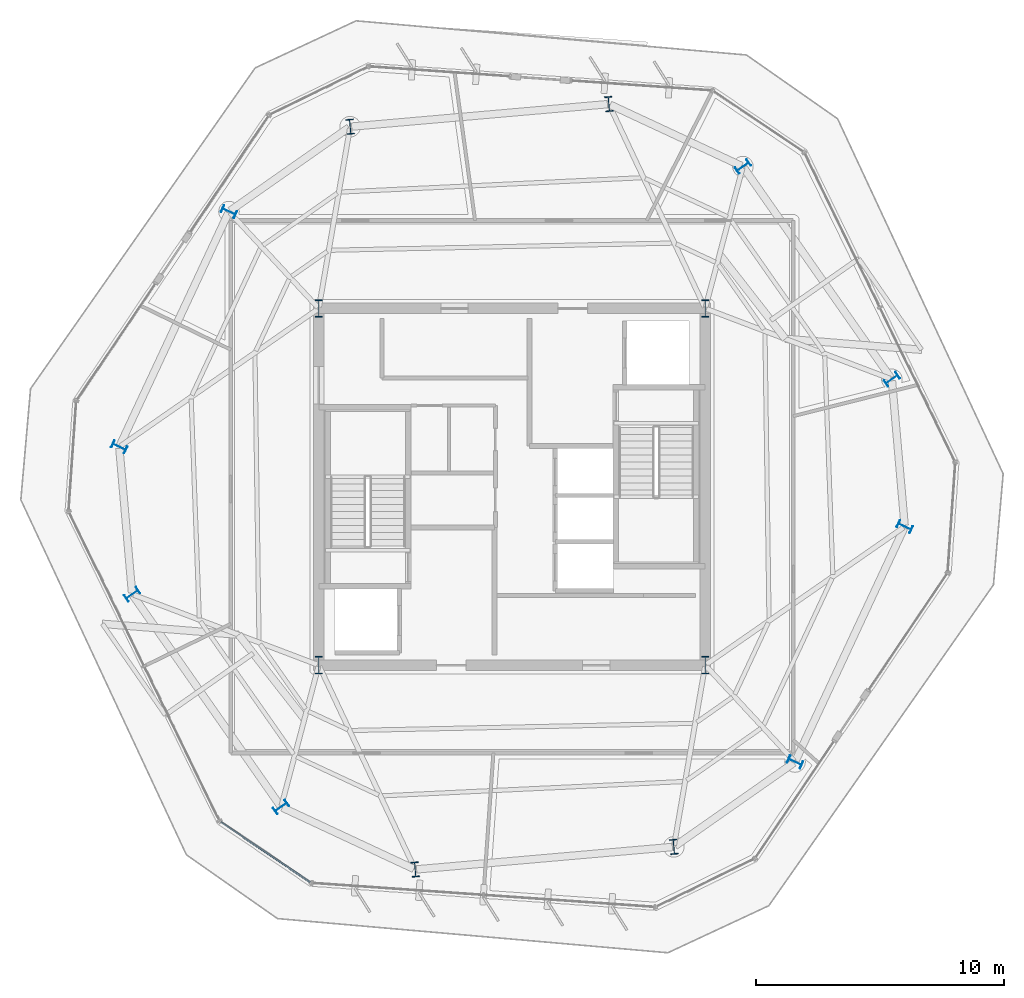
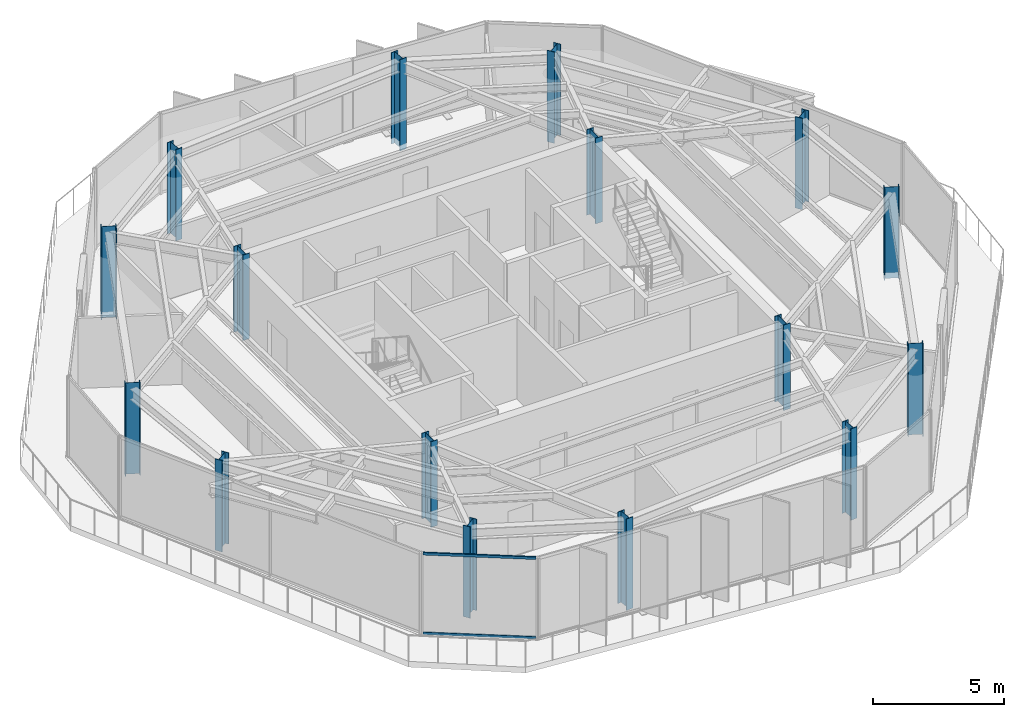
# One storey, part 1 of 12: 16 columns, 2 members, 1 element without a shape of its own.
"""IFC4 building model written with IfcOpenShell, lengths in metres."""

import ifcopenshell
import ifcopenshell.guid

model = None  # the IFC model being written
_history = None  # IfcOwnerHistory: only IFC2X3 demands one
_inside = {}  # id of a spatial element -> (the spatial element, [elements in it])
_under = {}  # id of a project, library or spatial element -> (it, [spatial elements below it])
_declared = {}  # id of a project -> (the project, [libraries it declares])
_typed = {}  # id of a type object -> (the type object, [elements of that type])
_made_of = {}  # id of a material, layer set ... -> (it, [elements and type objects made of it])


def new_model(schema):
    """Start an empty IFC model of exactly this schema.

    Asked for "IFC4X3", IfcOpenShell would pick the latest addendum, in which some entities
    have other attributes; the version numbers below select the first issue.
    IFC2X3 requires an IfcOwnerHistory on every rooted entity: one is made here for all.
    """
    global model, _history
    if schema == "IFC4X3":
        model = ifcopenshell.file(schema_version=(4, 3, 0, 0))
    else:
        model = ifcopenshell.file(schema=schema)
    _inside.clear()
    _under.clear()
    _declared.clear()
    _typed.clear()
    _made_of.clear()
    _history = None
    if model.schema == "IFC2X3":
        org = make("IfcOrganization", Name="unknown")
        user = make(
            "IfcPersonAndOrganization",
            ThePerson=make("IfcPerson", FamilyName="unknown"),
            TheOrganization=org,
        )
        app = make(
            "IfcApplication",
            ApplicationDeveloper=org,
            Version="unknown",
            ApplicationFullName="unknown",
            ApplicationIdentifier="unknown",
        )
        _history = make(
            "IfcOwnerHistory",
            OwningUser=user,
            OwningApplication=app,
            ChangeAction="ADDED",
            CreationDate=0,
        )
    return model


def make(cls, **values):
    """One entity of the class cls with the attributes given. An attribute that is None is left unset."""
    return model.create_entity(
        cls, **{name: value for name, value in values.items() if value is not None}
    )


def rooted(cls, **values):
    """An entity with a GlobalId (a new one), such as an element, a storey or a relation."""
    return make(cls, GlobalId=ifcopenshell.guid.new(), OwnerHistory=_history, **values)


def si_unit(unit_type, name, prefix=None):
    """IfcSIUnit, for example si_unit("LENGTHUNIT", "METRE", prefix="MILLI")."""
    return make("IfcSIUnit", UnitType=unit_type, Prefix=prefix, Name=name)


def assignment(units):
    """IfcUnitAssignment: the units of a project."""
    return None if units is None else make("IfcUnitAssignment", Units=units)


def point(xyz):
    """IfcCartesianPoint."""
    return None if xyz is None else make("IfcCartesianPoint", Coordinates=xyz)


def direction(xyz):
    """IfcDirection."""
    return None if xyz is None else make("IfcDirection", DirectionRatios=xyz)


def frame(location, z_axis=None, x_axis=None):
    """IfcAxis2Placement3D, a coordinate frame: its origin and axes. An axis left out is left unset."""
    return make(
        "IfcAxis2Placement3D",
        Location=point(location),
        Axis=direction(z_axis),
        RefDirection=direction(x_axis),
    )


def frame_2d(location, x_axis=None):
    """IfcAxis2Placement2D, a coordinate frame in the plane: its origin and x axis."""
    return make(
        "IfcAxis2Placement2D", Location=point(location), RefDirection=direction(x_axis)
    )


def origin():
    """The frame at (0, 0, 0) with its axes left unset."""
    return frame((0.0, 0.0, 0.0))


def origin_2d():
    """The frame at (0, 0) in the plane with its x axis left unset."""
    return frame_2d((0.0, 0.0))


def place(relative_to, where):
    """IfcLocalPlacement: puts the frame where relative to a parent placement (None: the world)."""
    return make(
        "IfcLocalPlacement", PlacementRelTo=relative_to, RelativePlacement=where
    )


def context(
    kind, dimensions, precision=None, world=None, true_north=None, identifier=None
):
    """IfcGeometricRepresentationContext, for example the 3D "Model" context."""
    return make(
        "IfcGeometricRepresentationContext",
        ContextIdentifier=identifier,
        ContextType=kind,
        CoordinateSpaceDimension=dimensions,
        Precision=precision,
        WorldCoordinateSystem=world,
        TrueNorth=true_north,
    )


def subcontext(parent, identifier, kind, view, scale=None):
    """IfcGeometricRepresentationSubContext, for example "Body" below "Model"."""
    return make(
        "IfcGeometricRepresentationSubContext",
        ContextIdentifier=identifier,
        ContextType=kind,
        ParentContext=parent,
        TargetScale=scale,
        TargetView=view,
    )


def project(units=None, contexts=None):
    """IfcProject with its units and contexts."""
    return rooted(
        "IfcProject",
        Name="project",
        RepresentationContexts=contexts,
        UnitsInContext=assignment(units),
    )


def spatial(cls, under=None, at=None, **own):
    """A site, building, storey or space (cls), placed at a placement, below another one or the project."""
    s = rooted(cls, ObjectPlacement=at, **own)
    if under is not None:
        _under.setdefault(under.id(), (under, []))[1].append(s)
    return s


def profile(cls, at=None, kind="AREA", **sizes):
    """A parametric profile (cls). Its sizes go by their IFC names, for example OverallWidth=200.0."""
    return make(cls, ProfileType=kind, Position=at, **sizes)


def rectangle(**sizes):
    """IfcRectangleProfileDef."""
    return profile("IfcRectangleProfileDef", **sizes)


def i_section(**sizes):
    """IfcIShapeProfileDef."""
    return profile("IfcIShapeProfileDef", **sizes)


def extrude(swept, where, along, depth):
    """IfcExtrudedAreaSolid: the profile swept, set in the frame where, extruded along a direction by depth."""
    return make(
        "IfcExtrudedAreaSolid",
        SweptArea=swept,
        Position=where,
        ExtrudedDirection=direction(along),
        Depth=depth,
    )


def shape(context_of_items, identifier, shape_type, items):
    """IfcShapeRepresentation: the items that make up one representation, for example the "Body"."""
    return make(
        "IfcShapeRepresentation",
        ContextOfItems=context_of_items,
        RepresentationIdentifier=identifier,
        RepresentationType=shape_type,
        Items=items,
    )


def material(Name=None, Category=None):
    """IfcMaterial."""
    return make("IfcMaterial", Name=Name, Category=Category)


def layer(
    of_material, thickness, ventilated=None, Name=None, Category=None, Priority=None
):
    """IfcMaterialLayer: one layer of a wall or slab, of a material (None: an air gap)."""
    return make(
        "IfcMaterialLayer",
        Material=of_material,
        LayerThickness=thickness,
        IsVentilated=ventilated,
        Name=Name,
        Category=Category,
        Priority=Priority,
    )


def layer_set(layers, Name=None):
    """IfcMaterialLayerSet."""
    return make("IfcMaterialLayerSet", MaterialLayers=layers, LayerSetName=Name)


def material_profile(
    of_material, cross_section, Name=None, Category=None, Priority=None
):
    """IfcMaterialProfile: a cross section and its material."""
    return make(
        "IfcMaterialProfile",
        Name=Name,
        Material=of_material,
        Profile=cross_section,
        Priority=Priority,
        Category=Category,
    )


def profile_set(profiles, Name=None, composite=None):
    """IfcMaterialProfileSet."""
    return make(
        "IfcMaterialProfileSet",
        Name=Name,
        MaterialProfiles=profiles,
        CompositeProfile=composite,
    )


def made_of(thing, what):
    """Note that an element or type object is made of a material, layer set ...; save() writes the relation."""
    if what is not None:
        _made_of.setdefault(what.id(), (what, []))[1].append(thing)
    return thing


def type_object(cls, material=None, **own):
    """A type object (cls), such as IfcWallType, which elements share."""
    return made_of(rooted(cls, **own), material)


def element(
    cls,
    number,
    at=None,
    inside=None,
    cuts=None,
    type_object=None,
    material=None,
    context=None,
    identifier="Body",
    shape_type=None,
    held_by="IfcProductDefinitionShape",
    body=None,
    shapes=None,
    **own,
):
    """One element of the class cls, such as IfcWall. Its Tag is "e" and its number.

    at: its placement. inside: the storey or other place that contains it. cuts: it is an
    opening in that element (IfcRelVoidsElement). A single representation is given by context,
    identifier, shape_type and body (its items); several are given by shapes. held_by: the class
    of the entity that holds the representations. save() writes the other relations.
    """
    e = rooted(cls, Tag="e%d" % number, ObjectPlacement=at, **own)
    if body is not None:
        shapes = [shape(context, identifier, shape_type, body)]
    if shapes is not None:
        e.Representation = make(held_by, Representations=shapes)
    if inside is not None:
        _inside.setdefault(inside.id(), (inside, []))[1].append(e)
    if cuts is not None:
        rooted(
            "IfcRelVoidsElement", RelatingBuildingElement=cuts, RelatedOpeningElement=e
        )
    if type_object is not None:
        _typed.setdefault(type_object.id(), (type_object, []))[1].append(e)
    return made_of(e, material)


def aggregate(whole, parts):
    """IfcRelAggregates: a whole, such as a stair, and the parts it consists of."""
    return rooted("IfcRelAggregates", RelatingObject=whole, RelatedObjects=parts)


def save(model, path):
    """Write the relations noted so far, then the file.

    IfcRelAggregates (storeys below a building ...), IfcRelContainedInSpatialStructure (elements
    in a storey), IfcRelDefinesByType, IfcRelAssociatesMaterial and IfcRelDeclares: one each for
    every whole, place, type object, material and project.
    """
    for whole, parts in _under.values():
        aggregate(whole, parts)
    for where, things in _inside.values():
        rooted(
            "IfcRelContainedInSpatialStructure",
            RelatedElements=things,
            RelatingStructure=where,
        )
    for kind, things in _typed.values():
        rooted("IfcRelDefinesByType", RelatedObjects=things, RelatingType=kind)
    for what, things in _made_of.values():
        rooted("IfcRelAssociatesMaterial", RelatedObjects=things, RelatingMaterial=what)
    for by, libraries in _declared.values():
        rooted("IfcRelDeclares", RelatingContext=by, RelatedDefinitions=libraries)
    model.write(path)


model = new_model("IFC4")

# Units and contexts
model_context = context("Model", 3, precision=1e-05, world=origin(), true_north=direction((0.0, 1.0)))
body_context = subcontext(model_context, "Body", "Model", "MODEL_VIEW")
ifc_project = project(units=[si_unit("LENGTHUNIT", "METRE"), si_unit("AREAUNIT", "SQUARE_METRE"), si_unit("VOLUMEUNIT", "CUBIC_METRE"), si_unit("PLANEANGLEUNIT", "RADIAN"), si_unit("MASSUNIT", "GRAM", prefix="KILO")], contexts=[model_context])

# Site, building, storey
site_placement = place(None, origin())
site = spatial("IfcSite", under=ifc_project, at=site_placement, CompositionType="ELEMENT")
building_placement = place(site_placement, origin())
building = spatial("IfcBuilding", under=site, at=building_placement, Name="Kranzbogen Civic Tower", CompositionType="ELEMENT")
storey_placement = place(building_placement, frame((0.0, 0.0, 250.199951171875)))
storey = spatial("IfcBuildingStorey", under=building, at=storey_placement, Name="L60", CompositionType="ELEMENT", Elevation=250.199951171875)

# Columns
ifc_material_1 = material(Name="Steel S355", Category="steel")
ifc_material_profile_1 = material_profile(ifc_material_1, i_section(OverallWidth=0.300048828125, OverallDepth=0.60009765625, WebThickness=0.015380859375, FlangeThickness=0.030029296875, at=origin_2d()), Name="HEB 600")
ifc_profile_set_1 = profile_set([ifc_material_profile_1], Name="Steel S355")
column_type_1 = type_object("IfcColumnType", Name="Structural Column HEB 600", PredefinedType="COLUMN", material=ifc_profile_set_1)
for number, where, z_axis, x_axis, name in (
    (1, (28.908935546875, 40.449951171875, -0.27001953125), (0.0, 0.0, 1.0), (0.996194698092, 0.087155742748, 0.0), "L60 tower perimeter tube column 01"),
    (2, (18.467041015625, 39.535888671875, -0.27001953125), (0.0, 0.0, 1.0), (0.996194698092, 0.087155742748, 0.0), "L60 tower perimeter tube column 02"),
    (3, (13.574951171875, 36.110107421875, -0.27001953125), (0.0, 0.0, 1.0), (0.422618261741, 0.906307787037, 0.0), "L60 tower perimeter tube column 03"),
    (4, (9.14501953125, 26.610107421875, -0.27001953125), (0.0, 0.0, 1.0), (0.422618261741, 0.906307787037, 0.0), "L60 tower perimeter tube column 04"),
    (5, (9.666015625, 20.660888671875, -0.27001953125), (0.0, 0.0, 1.0), (-0.573576436351, 0.819152044289, 0.0), "L60 tower perimeter tube column 05"),
    (6, (15.677978515625, 12.073974609375, -0.27001953125), (0.0, 0.0, 1.0), (-0.573576436351, 0.819152044289, 0.0), "L60 tower perimeter tube column 06"),
    (7, (21.091064453125, 9.550048828125, -0.27001953125), (0.0, 0.0, 1.0), (0.996194698092, 0.087155742748, 0.0), "L60 tower perimeter tube column 07"),
    (8, (31.532958984375, 10.464111328125, -0.27001953125), (0.0, 0.0, 1.0), (0.996194698092, 0.087155742748, 0.0), "L60 tower perimeter tube column 08"),
    (9, (36.425048828125, 13.889892578125, -0.27001953125), (0.0, 0.0, 1.0), (0.422618261741, 0.906307787037, 0.0), "L60 tower perimeter tube column 09"),
    (10, (40.85498046875, 23.389892578125, -0.27001953125), (0.0, 0.0, 1.0), (0.422618261741, 0.906307787037, 0.0), "L60 tower perimeter tube column 10"),
    (11, (40.333984375, 29.339111328125, -0.27001953125), (0.0, 0.0, 1.0), (-0.573576436351, 0.819152044289, 0.0), "L60 tower perimeter tube column 11"),
    (12, (34.322021484375, 37.926025390625, -0.27001953125), (0.0, 0.0, 1.0), (-0.573576436351, 0.819152044289, 0.0), "L60 tower perimeter tube column 12"),
):
    element("IfcColumn", number, at=place(storey_placement, frame(where, z_axis=z_axis, x_axis=x_axis)), inside=storey, type_object=column_type_1, Name=name, PredefinedType="COLUMN", context=body_context, shape_type="SweptSolid", body=[
        extrude(i_section(OverallWidth=0.300048828125, OverallDepth=0.60009765625, WebThickness=0.015380859375, FlangeThickness=0.030029296875, at=origin_2d()), origin(), (0.0, 0.0, 1.0), 4.27001953125),
    ])
ifc_material_profile_2 = material_profile(ifc_material_1, i_section(OverallWidth=0.300048828125, OverallDepth=0.699951171875, WebThickness=0.01708984375, FlangeThickness=0.031982421875, at=origin_2d()), Name="HEB 700")
ifc_profile_set_2 = profile_set([ifc_material_profile_2], Name="Steel S355")
column_type_2 = type_object("IfcColumnType", Name="Structural Column HEB 700", PredefinedType="COLUMN", material=ifc_profile_set_2)
for number, where, z_axis, x_axis, name in (
    (13, (17.199951171875, 17.800048828125, 0.0), (0.0, 0.0, 1.0), (1.0, 0.0, 0.0), "L60 composite core corner column 1"),
    (14, (32.800048828125, 17.800048828125, 0.0), (0.0, 0.0, 1.0), (1.0, 0.0, 0.0), "L60 composite core corner column 2"),
    (15, (32.800048828125, 32.199951171875, 0.0), (0.0, 0.0, 1.0), (1.0, 0.0, 0.0), "L60 composite core corner column 3"),
    (16, (17.199951171875, 32.199951171875, 0.0), (0.0, 0.0, 1.0), (1.0, 0.0, 0.0), "L60 composite core corner column 4"),
):
    element("IfcColumn", number, at=place(storey_placement, frame(where, z_axis=z_axis, x_axis=x_axis)), inside=storey, type_object=column_type_2, Name=name, PredefinedType="COLUMN", context=body_context, shape_type="SweptSolid", body=[
        extrude(i_section(OverallWidth=0.300048828125, OverallDepth=0.699951171875, WebThickness=0.01708984375, FlangeThickness=0.031982421875, at=origin_2d()), origin(), (0.0, 0.0, 1.0), 4.0),
    ])

# Curtain wall, members
ifc_material_2 = material(Name="Pale Anodised Aluminium", Category="aluminium")
ifc_layer = layer(ifc_material_2, 0.219970703125, Name="Pale Anodised Aluminium")
ifc_layer_set = layer_set([ifc_layer], Name="Pale Anodised Aluminium")
curtain_wall_type = type_object("IfcCurtainWallType", Name="Chamfer Facet Stick Curtain Wall System CW-06", PredefinedType="USERDEFINED", material=ifc_layer_set)
curtain_wall_placement = place(storey_placement, origin())
curtain_wall = element("IfcCurtainWall", 17, at=curtain_wall_placement, inside=storey, type_object=curtain_wall_type, Name="L60 curtain wall CW-L60-C3", ObjectType="STICK CURTAIN WALL", PredefinedType="USERDEFINED")
ifc_material_profile_3 = material_profile(ifc_material_2, rectangle(XDim=0.06005859375, YDim=0.1201171875, at=origin_2d()), Name="ALU-T 60x120")
ifc_profile_set_3 = profile_set([ifc_material_profile_3], Name="Pale Anodised Aluminium")
member_type = type_object("IfcMemberType", Name="Curtain Wall Transom ALU-T 60x120", PredefinedType="USERDEFINED", material=ifc_profile_set_3)
member_1_placement = place(storey_placement, frame((13.251708984375, 11.467529296875, 0.030029296875), z_axis=(0.829142997051, -0.559036573438, 0.0), x_axis=(0.559036573438, 0.829142997051, 0.0)))
member_1 = element("IfcMember", 18, at=member_1_placement, type_object=member_type, Name="CW-06 transom 1.1", ObjectType="TRANSOM", PredefinedType="USERDEFINED", context=body_context, shape_type="SweptSolid", body=[
    extrude(rectangle(XDim=0.06005859375, YDim=0.1201171875, at=origin_2d()), origin(), (0.0, 0.0, 1.0), 4.344970703125),
])
member_2_placement = place(storey_placement, frame((13.251708984375, 11.467529296875, 3.75), z_axis=(0.829142997051, -0.559036573438, 0.0), x_axis=(0.559036573438, 0.829142997051, 0.0)))
member_2 = element("IfcMember", 19, at=member_2_placement, type_object=member_type, Name="CW-06 transom 1.2", ObjectType="TRANSOM", PredefinedType="USERDEFINED", context=body_context, shape_type="SweptSolid", body=[
    extrude(rectangle(XDim=0.06005859375, YDim=0.1201171875, at=origin_2d()), origin(), (0.0, 0.0, 1.0), 4.344970703125),
])
aggregate(curtain_wall, [member_1, member_2])

save(model, "model.ifc")
